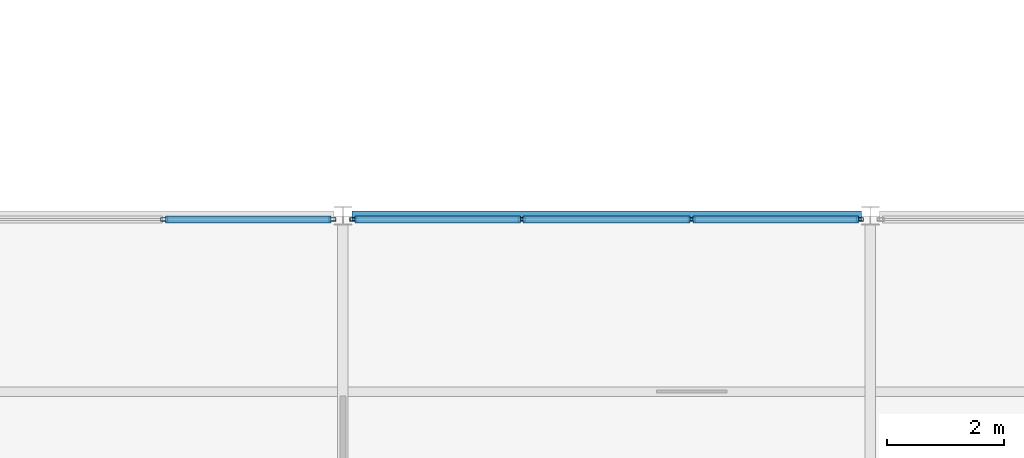
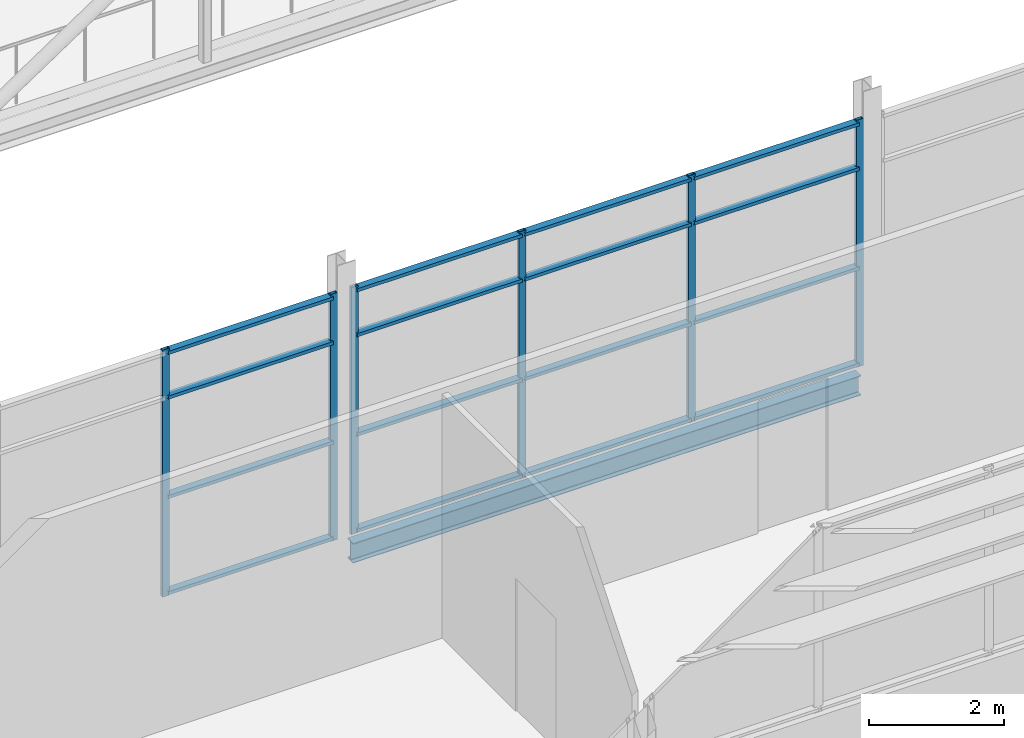
# One storey, part 37 of 94: 22 members, 1 beam, 2 elements without a shape of their own.
"""IFC4 building model written with IfcOpenShell, lengths in metres."""

from ifc_helpers import new_model, si_unit, direction, frame, origin, origin_2d, place, context, subcontext, project, spatial, hollow_rectangle, i_section, extrude, material, layer, layer_set, material_profile, profile_set, type_object, element, aggregate, save


model = new_model("IFC4")

# Units and contexts
model_context = context("Model", 3, precision=1e-05, world=origin(), true_north=direction((0.0, 1.0)))
body_context = subcontext(model_context, "Body", "Model", "MODEL_VIEW")
ifc_project = project(units=[si_unit("LENGTHUNIT", "METRE"), si_unit("AREAUNIT", "SQUARE_METRE"), si_unit("VOLUMEUNIT", "CUBIC_METRE"), si_unit("PLANEANGLEUNIT", "RADIAN"), si_unit("MASSUNIT", "GRAM", prefix="KILO")], contexts=[model_context])

# Site, building, storey
site_placement = place(None, origin())
site = spatial("IfcSite", under=ifc_project, at=site_placement, CompositionType="ELEMENT")
building_placement = place(site_placement, origin())
building = spatial("IfcBuilding", under=site, at=building_placement, Name="Shorebreak Coast Museum", CompositionType="ELEMENT")
storey_placement = place(building_placement, frame((0.0, 0.0, 31.0)))
storey = spatial("IfcBuildingStorey", under=building, at=storey_placement, Name="L05", CompositionType="ELEMENT", Elevation=31.0)

# Beam
ifc_material_1 = material(Name="Steel Grade 300", Category="steel")
ifc_material_profile_1 = material_profile(ifc_material_1, i_section(OverallWidth=0.1708984375, OverallDepth=0.355712890625, WebThickness=0.00732421875, FlangeThickness=0.011474609375, FilletRadius=0.011474609375, at=origin_2d()), Name="360UB50.7")
ifc_profile_set_1 = profile_set([ifc_material_profile_1], Name="Steel Grade 300")
beam_type = type_object("IfcBeamType", Name="Floor girder east-west 360UB50.7", PredefinedType="BEAM", material=ifc_profile_set_1)
beam_placement = place(storey_placement, frame((90.153564453125, 63.0, -0.352783203125), z_axis=(1.0, 0.0, 0.0), x_axis=(0.0, 1.0, 0.0)))
element("IfcBeam", 1, at=beam_placement, inside=storey, type_object=beam_type, Name="Floor girder east-west L05 11H", PredefinedType="BEAM", context=body_context, shape_type="SweptSolid", body=[
    extrude(i_section(OverallWidth=0.1708984375, OverallDepth=0.355712890625, WebThickness=0.00732421875, FlangeThickness=0.011474609375, FilletRadius=0.011474609375, at=origin_2d()), origin(), (0.0, 0.0, 1.0), 8.69287109375),
])

# Curtain wall, members
ifc_material_2 = material(Name="Aluminium", Category="aluminium")
ifc_layer = layer(ifc_material_2, 0.1201171875)
ifc_layer_set = layer_set([ifc_layer], Name="Aluminium")
curtain_wall_type = type_object("IfcCurtainWallType", Name="Atrium fire screen", PredefinedType="NOTDEFINED", material=ifc_layer_set)
curtain_wall_1_placement = place(storey_placement, origin())
curtain_wall_1 = element("IfcCurtainWall", 2, at=curtain_wall_1_placement, inside=storey, type_object=curtain_wall_type, Name="Atrium screen L05 S 65", PredefinedType="NOTDEFINED")
ifc_material_3 = material(Name="Aluminium", Category="aluminium")
ifc_material_profile_2 = material_profile(ifc_material_3, hollow_rectangle(XDim=0.06005859375, YDim=0.1201171875, WallThickness=0.00341796875, at=origin_2d()), Name="AL 120x60 RHS")
ifc_profile_set_2 = profile_set([ifc_material_profile_2], Name="Aluminium")
member_type_1 = type_object("IfcMemberType", Name="Screen mullion 50 x 120", PredefinedType="MULLION", material=ifc_profile_set_2)
member_1_placement = place(storey_placement, frame((86.94873046875, 62.93994140625, 0.0), z_axis=(0.0, 0.0, 1.0), x_axis=(0.0, 1.0, 0.0)))
member_1 = element("IfcMember", 3, at=member_1_placement, type_object=member_type_1, Name="CW6 mullion 3", PredefinedType="MULLION", context=body_context, shape_type="SweptSolid", body=[
    extrude(hollow_rectangle(XDim=0.06005859375, YDim=0.1201171875, WallThickness=0.00341796875, at=origin_2d()), origin(), (0.0, 0.0, 1.0), 4.469482421875),
])
member_2_placement = place(storey_placement, frame((89.821533203125, 62.93994140625, 0.0), z_axis=(0.0, 0.0, 1.0), x_axis=(0.0, 1.0, 0.0)))
member_2 = element("IfcMember", 4, at=member_2_placement, type_object=member_type_1, Name="CW6 mullion 4", PredefinedType="MULLION", context=body_context, shape_type="SweptSolid", body=[
    extrude(hollow_rectangle(XDim=0.06005859375, YDim=0.1201171875, WallThickness=0.00341796875, at=origin_2d()), origin(), (0.0, 0.0, 1.0), 4.469482421875),
])

curtain_wall_2_placement = place(storey_placement, origin())
curtain_wall_2 = element("IfcCurtainWall", 5, at=curtain_wall_2_placement, inside=storey, type_object=curtain_wall_type, Name="Atrium screen L05 S 66", PredefinedType="NOTDEFINED")
member_3_placement = place(storey_placement, frame((90.178466796875, 62.93994140625, 0.0), z_axis=(0.0, 0.0, 1.0), x_axis=(0.0, 1.0, 0.0)))
member_3 = element("IfcMember", 6, at=member_3_placement, type_object=member_type_1, Name="CW4 mullion 1", PredefinedType="MULLION", context=body_context, shape_type="SweptSolid", body=[
    extrude(hollow_rectangle(XDim=0.06005859375, YDim=0.1201171875, WallThickness=0.00341796875, at=origin_2d()), origin(), (0.0, 0.0, 1.0), 4.469482421875),
])
member_4_placement = place(storey_placement, frame((93.05126953125, 62.93994140625, 0.0), z_axis=(0.0, 0.0, 1.0), x_axis=(0.0, 1.0, 0.0)))
member_4 = element("IfcMember", 7, at=member_4_placement, type_object=member_type_1, Name="CW4 mullion 2", PredefinedType="MULLION", context=body_context, shape_type="SweptSolid", body=[
    extrude(hollow_rectangle(XDim=0.06005859375, YDim=0.1201171875, WallThickness=0.00341796875, at=origin_2d()), origin(), (0.0, 0.0, 1.0), 4.469482421875),
])
member_5_placement = place(storey_placement, frame((95.94873046875, 62.93994140625, 0.0), z_axis=(0.0, 0.0, 1.0), x_axis=(0.0, 1.0, 0.0)))
member_5 = element("IfcMember", 8, at=member_5_placement, type_object=member_type_1, Name="CW4 mullion 3", PredefinedType="MULLION", context=body_context, shape_type="SweptSolid", body=[
    extrude(hollow_rectangle(XDim=0.06005859375, YDim=0.1201171875, WallThickness=0.00341796875, at=origin_2d()), origin(), (0.0, 0.0, 1.0), 4.469482421875),
])
member_6_placement = place(storey_placement, frame((98.821533203125, 62.93994140625, 0.0), z_axis=(0.0, 0.0, 1.0), x_axis=(0.0, 1.0, 0.0)))
member_6 = element("IfcMember", 9, at=member_6_placement, type_object=member_type_1, Name="CW4 mullion 4", PredefinedType="MULLION", context=body_context, shape_type="SweptSolid", body=[
    extrude(hollow_rectangle(XDim=0.06005859375, YDim=0.1201171875, WallThickness=0.00341796875, at=origin_2d()), origin(), (0.0, 0.0, 1.0), 4.469482421875),
])

# Member
ifc_material_4 = material(Name="Aluminium", Category="aluminium")
ifc_material_profile_3 = material_profile(ifc_material_4, hollow_rectangle(XDim=0.1201171875, YDim=0.06005859375, WallThickness=0.00341796875, at=origin_2d()), Name="AL 60x120 RHS")
ifc_profile_set_3 = profile_set([ifc_material_profile_3], Name="Aluminium")
member_type_2 = type_object("IfcMemberType", Name="Screen transom 120 x 50", PredefinedType="USERDEFINED", material=ifc_profile_set_3)
member_7_placement = place(storey_placement, frame((86.973876953125, 62.93994140625, 0.06005859375), z_axis=(1.0, 0.0, 0.0), x_axis=(0.0, 1.0, 0.0)))
member_7 = element("IfcMember", 10, at=member_7_placement, type_object=member_type_2, Name="CW6 transom 3.1", ObjectType="TRANSOM", PredefinedType="USERDEFINED", context=body_context, shape_type="SweptSolid", body=[
    extrude(hollow_rectangle(XDim=0.1201171875, YDim=0.06005859375, WallThickness=0.00341796875, at=origin_2d()), origin(), (0.0, 0.0, 1.0), 2.822509765625),
])

member_8_placement = place(storey_placement, frame((86.973876953125, 62.93994140625, 1.800048828125), z_axis=(1.0, 0.0, 0.0), x_axis=(0.0, 1.0, 0.0)))
member_8 = element("IfcMember", 11, at=member_8_placement, type_object=member_type_2, Name="CW6 transom 3.2", ObjectType="TRANSOM", PredefinedType="USERDEFINED", context=body_context, shape_type="SweptSolid", body=[
    extrude(hollow_rectangle(XDim=0.1201171875, YDim=0.06005859375, WallThickness=0.00341796875, at=origin_2d()), origin(), (0.0, 0.0, 1.0), 2.822509765625),
])

member_9_placement = place(storey_placement, frame((86.973876953125, 62.93994140625, 3.60009765625), z_axis=(1.0, 0.0, 0.0), x_axis=(0.0, 1.0, 0.0)))
member_9 = element("IfcMember", 12, at=member_9_placement, type_object=member_type_2, Name="CW6 transom 3.3", ObjectType="TRANSOM", PredefinedType="USERDEFINED", context=body_context, shape_type="SweptSolid", body=[
    extrude(hollow_rectangle(XDim=0.1201171875, YDim=0.06005859375, WallThickness=0.00341796875, at=origin_2d()), origin(), (0.0, 0.0, 1.0), 2.822509765625),
])

member_10_placement = place(storey_placement, frame((86.973876953125, 62.93994140625, 4.409423828125), z_axis=(1.0, 0.0, 0.0), x_axis=(0.0, 1.0, 0.0)))
member_10 = element("IfcMember", 13, at=member_10_placement, type_object=member_type_2, Name="CW6 transom 3.4", ObjectType="TRANSOM", PredefinedType="USERDEFINED", context=body_context, shape_type="SweptSolid", body=[
    extrude(hollow_rectangle(XDim=0.1201171875, YDim=0.06005859375, WallThickness=0.00341796875, at=origin_2d()), origin(), (0.0, 0.0, 1.0), 2.822509765625),
])

aggregate(curtain_wall_1, [member_1, member_2, member_7, member_8, member_9, member_10])

member_11_placement = place(storey_placement, frame((90.20361328125, 62.93994140625, 0.06005859375), z_axis=(1.0, 0.0, 0.0), x_axis=(0.0, 1.0, 0.0)))
member_11 = element("IfcMember", 14, at=member_11_placement, type_object=member_type_2, Name="CW4 transom 1.1", ObjectType="TRANSOM", PredefinedType="USERDEFINED", context=body_context, shape_type="SweptSolid", body=[
    extrude(hollow_rectangle(XDim=0.1201171875, YDim=0.06005859375, WallThickness=0.00341796875, at=origin_2d()), origin(), (0.0, 0.0, 1.0), 2.822509765625),
])

member_12_placement = place(storey_placement, frame((90.20361328125, 62.93994140625, 1.800048828125), z_axis=(1.0, 0.0, 0.0), x_axis=(0.0, 1.0, 0.0)))
member_12 = element("IfcMember", 15, at=member_12_placement, type_object=member_type_2, Name="CW4 transom 1.2", ObjectType="TRANSOM", PredefinedType="USERDEFINED", context=body_context, shape_type="SweptSolid", body=[
    extrude(hollow_rectangle(XDim=0.1201171875, YDim=0.06005859375, WallThickness=0.00341796875, at=origin_2d()), origin(), (0.0, 0.0, 1.0), 2.822509765625),
])

member_13_placement = place(storey_placement, frame((90.20361328125, 62.93994140625, 3.60009765625), z_axis=(1.0, 0.0, 0.0), x_axis=(0.0, 1.0, 0.0)))
member_13 = element("IfcMember", 16, at=member_13_placement, type_object=member_type_2, Name="CW4 transom 1.3", ObjectType="TRANSOM", PredefinedType="USERDEFINED", context=body_context, shape_type="SweptSolid", body=[
    extrude(hollow_rectangle(XDim=0.1201171875, YDim=0.06005859375, WallThickness=0.00341796875, at=origin_2d()), origin(), (0.0, 0.0, 1.0), 2.822509765625),
])

member_14_placement = place(storey_placement, frame((90.20361328125, 62.93994140625, 4.409423828125), z_axis=(1.0, 0.0, 0.0), x_axis=(0.0, 1.0, 0.0)))
member_14 = element("IfcMember", 17, at=member_14_placement, type_object=member_type_2, Name="CW4 transom 1.4", ObjectType="TRANSOM", PredefinedType="USERDEFINED", context=body_context, shape_type="SweptSolid", body=[
    extrude(hollow_rectangle(XDim=0.1201171875, YDim=0.06005859375, WallThickness=0.00341796875, at=origin_2d()), origin(), (0.0, 0.0, 1.0), 2.822509765625),
])

member_15_placement = place(storey_placement, frame((93.076171875, 62.93994140625, 0.06005859375), z_axis=(1.0, 0.0, 0.0), x_axis=(0.0, 1.0, 0.0)))
member_15 = element("IfcMember", 18, at=member_15_placement, type_object=member_type_2, Name="CW4 transom 2.1", ObjectType="TRANSOM", PredefinedType="USERDEFINED", context=body_context, shape_type="SweptSolid", body=[
    extrude(hollow_rectangle(XDim=0.1201171875, YDim=0.06005859375, WallThickness=0.00341796875, at=origin_2d()), origin(), (0.0, 0.0, 1.0), 2.84765625),
])

member_16_placement = place(storey_placement, frame((93.076171875, 62.93994140625, 1.800048828125), z_axis=(1.0, 0.0, 0.0), x_axis=(0.0, 1.0, 0.0)))
member_16 = element("IfcMember", 19, at=member_16_placement, type_object=member_type_2, Name="CW4 transom 2.2", ObjectType="TRANSOM", PredefinedType="USERDEFINED", context=body_context, shape_type="SweptSolid", body=[
    extrude(hollow_rectangle(XDim=0.1201171875, YDim=0.06005859375, WallThickness=0.00341796875, at=origin_2d()), origin(), (0.0, 0.0, 1.0), 2.84765625),
])

member_17_placement = place(storey_placement, frame((93.076171875, 62.93994140625, 3.60009765625), z_axis=(1.0, 0.0, 0.0), x_axis=(0.0, 1.0, 0.0)))
member_17 = element("IfcMember", 20, at=member_17_placement, type_object=member_type_2, Name="CW4 transom 2.3", ObjectType="TRANSOM", PredefinedType="USERDEFINED", context=body_context, shape_type="SweptSolid", body=[
    extrude(hollow_rectangle(XDim=0.1201171875, YDim=0.06005859375, WallThickness=0.00341796875, at=origin_2d()), origin(), (0.0, 0.0, 1.0), 2.84765625),
])

member_18_placement = place(storey_placement, frame((93.076171875, 62.93994140625, 4.409423828125), z_axis=(1.0, 0.0, 0.0), x_axis=(0.0, 1.0, 0.0)))
member_18 = element("IfcMember", 21, at=member_18_placement, type_object=member_type_2, Name="CW4 transom 2.4", ObjectType="TRANSOM", PredefinedType="USERDEFINED", context=body_context, shape_type="SweptSolid", body=[
    extrude(hollow_rectangle(XDim=0.1201171875, YDim=0.06005859375, WallThickness=0.00341796875, at=origin_2d()), origin(), (0.0, 0.0, 1.0), 2.84765625),
])

member_19_placement = place(storey_placement, frame((95.973876953125, 62.93994140625, 0.06005859375), z_axis=(1.0, 0.0, 0.0), x_axis=(0.0, 1.0, 0.0)))
member_19 = element("IfcMember", 22, at=member_19_placement, type_object=member_type_2, Name="CW4 transom 3.1", ObjectType="TRANSOM", PredefinedType="USERDEFINED", context=body_context, shape_type="SweptSolid", body=[
    extrude(hollow_rectangle(XDim=0.1201171875, YDim=0.06005859375, WallThickness=0.00341796875, at=origin_2d()), origin(), (0.0, 0.0, 1.0), 2.822509765625),
])

member_20_placement = place(storey_placement, frame((95.973876953125, 62.93994140625, 1.800048828125), z_axis=(1.0, 0.0, 0.0), x_axis=(0.0, 1.0, 0.0)))
member_20 = element("IfcMember", 23, at=member_20_placement, type_object=member_type_2, Name="CW4 transom 3.2", ObjectType="TRANSOM", PredefinedType="USERDEFINED", context=body_context, shape_type="SweptSolid", body=[
    extrude(hollow_rectangle(XDim=0.1201171875, YDim=0.06005859375, WallThickness=0.00341796875, at=origin_2d()), origin(), (0.0, 0.0, 1.0), 2.822509765625),
])

member_21_placement = place(storey_placement, frame((95.973876953125, 62.93994140625, 3.60009765625), z_axis=(1.0, 0.0, 0.0), x_axis=(0.0, 1.0, 0.0)))
member_21 = element("IfcMember", 24, at=member_21_placement, type_object=member_type_2, Name="CW4 transom 3.3", ObjectType="TRANSOM", PredefinedType="USERDEFINED", context=body_context, shape_type="SweptSolid", body=[
    extrude(hollow_rectangle(XDim=0.1201171875, YDim=0.06005859375, WallThickness=0.00341796875, at=origin_2d()), origin(), (0.0, 0.0, 1.0), 2.822509765625),
])

member_22_placement = place(storey_placement, frame((95.973876953125, 62.93994140625, 4.409423828125), z_axis=(1.0, 0.0, 0.0), x_axis=(0.0, 1.0, 0.0)))
member_22 = element("IfcMember", 25, at=member_22_placement, type_object=member_type_2, Name="CW4 transom 3.4", ObjectType="TRANSOM", PredefinedType="USERDEFINED", context=body_context, shape_type="SweptSolid", body=[
    extrude(hollow_rectangle(XDim=0.1201171875, YDim=0.06005859375, WallThickness=0.00341796875, at=origin_2d()), origin(), (0.0, 0.0, 1.0), 2.822509765625),
])

aggregate(curtain_wall_2, [member_3, member_4, member_5, member_6, member_11, member_12, member_13, member_14, member_15, member_16, member_17, member_18, member_19, member_20, member_21, member_22])

save(model, "model.ifc")
